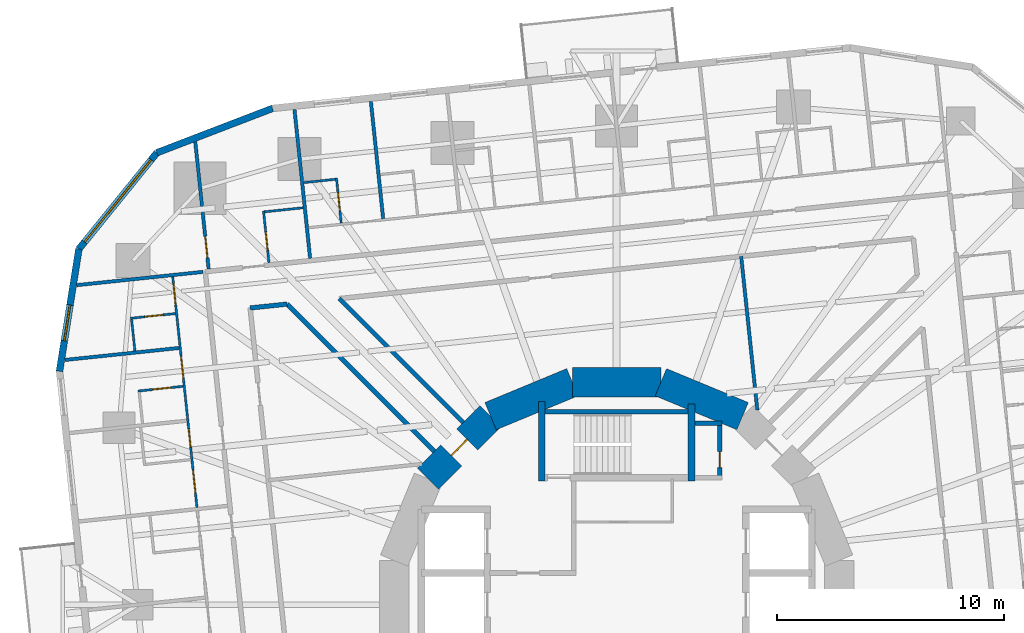
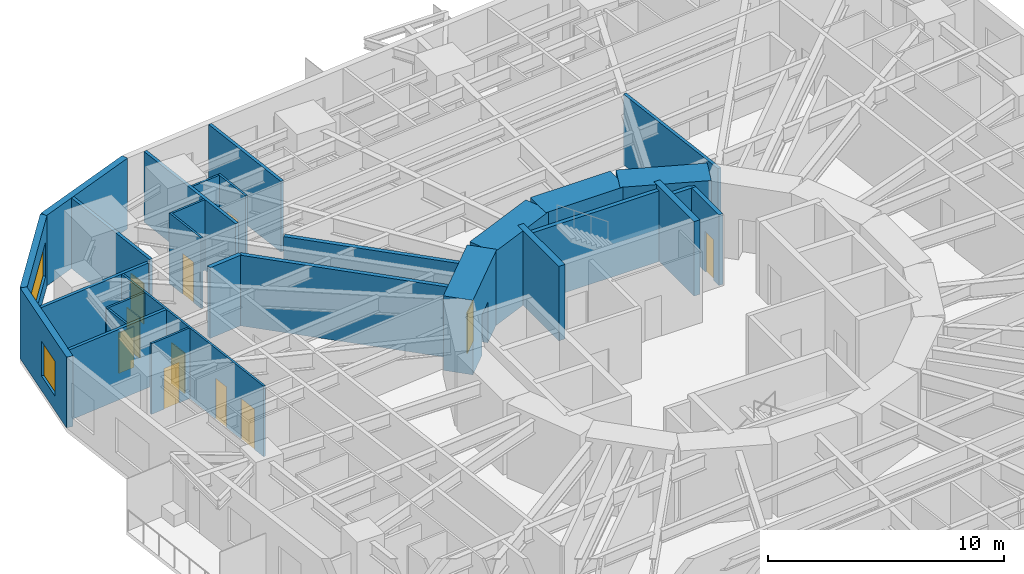
# One storey, part 10 of 15: 29 walls, 11 doors, 2 windows, 13 openings.
"""IFC4 building model written with IfcOpenShell, lengths in metres."""

from ifc_helpers import new_model, si_unit, direction, frame, frame_2d, origin, place, context, subcontext, project, spatial, rectangle, extrude, material, layer, layer_set, type_object, element, fill, save


model = new_model("IFC4")

# Units and contexts
model_context = context("Model", 3, precision=1e-05, world=origin(), true_north=direction((0.0, 1.0)))
body_context = subcontext(model_context, "Body", "Model", "MODEL_VIEW")
ifc_project = project(units=[si_unit("LENGTHUNIT", "METRE"), si_unit("AREAUNIT", "SQUARE_METRE"), si_unit("VOLUMEUNIT", "CUBIC_METRE"), si_unit("PLANEANGLEUNIT", "RADIAN"), si_unit("MASSUNIT", "GRAM", prefix="KILO")], contexts=[model_context])

# Site, building, storey
site_placement = place(None, origin())
site = spatial("IfcSite", under=ifc_project, at=site_placement, CompositionType="ELEMENT")
building_placement = place(site_placement, origin())
building = spatial("IfcBuilding", under=site, at=building_placement, Name="Nakasero Lantern House", CompositionType="ELEMENT")
storey_placement = place(building_placement, frame((0.0, 0.0, 68.199951171875)))
storey = spatial("IfcBuildingStorey", under=building, at=storey_placement, Name="L16", CompositionType="ELEMENT", Elevation=68.199951171875)

# Wall, openings, doors
ifc_material_1 = material(Name="Blockwork", Category="masonry")
ifc_layer_1 = layer(ifc_material_1, 0.10009765625)
ifc_layer_set_1 = layer_set([ifc_layer_1], Name="Cluster hall wall 100")
wall_type_1 = type_object("IfcWallType", Name="Cluster hall wall 100", PredefinedType="PARTITIONING", material=ifc_layer_set_1)
wall_1_placement = place(storey_placement, frame((-19.568603515625, 14.458740234375, 0.0), z_axis=(0.0, 0.0, 1.0), x_axis=(0.104541804513, -0.994520493056, 0.0)))
wall_1 = element("IfcWall", 1, at=wall_1_placement, inside=storey, type_object=wall_type_1, Name="Cluster hall wall L16 HW2-0", PredefinedType="PARTITIONING", context=body_context, shape_type="SweptSolid", body=[
    extrude(rectangle(XDim=10.2216796875, YDim=0.10009765625, at=frame_2d((5.11083984375, 0.0))), origin(), (0.0, 0.0, 1.0), 3.650146484375),
])
opening_1_placement = place(wall_1_placement, frame((8.57568359375, 0.0, 0.0)))
opening_1 = element("IfcOpeningElement", 2, at=opening_1_placement, cuts=wall_1, Name="Opening D03", PredefinedType="OPENING", context=body_context, shape_type="SweptSolid", body=[
    extrude(rectangle(XDim=1.0, YDim=2.10009765625, at=frame_2d((0.5, 1.050048828125))), frame((0.0, 0.070068359375, 0.0), z_axis=(0.0, -1.0, 0.0), x_axis=(1.0, 0.0, 0.0)), (0.0, 0.0, 1.0), 0.14013671875),
])
opening_2_placement = place(wall_1_placement, frame((6.75048828125, 0.0, 0.0)))
opening_2 = element("IfcOpeningElement", 3, at=opening_2_placement, cuts=wall_1, Name="Opening D02", PredefinedType="OPENING", context=body_context, shape_type="SweptSolid", body=[
    extrude(rectangle(XDim=0.800048828125, YDim=2.10009765625, at=frame_2d((0.39990234375, 1.050048828125))), frame((0.0, 0.070068359375, 0.0), z_axis=(0.0, -1.0, 0.0), x_axis=(1.0, 0.0, 0.0)), (0.0, 0.0, 1.0), 0.14013671875),
])
opening_3_placement = place(wall_1_placement, frame((0.300048828125, 0.0, 0.0)))
opening_3 = element("IfcOpeningElement", 4, at=opening_3_placement, cuts=wall_1, Name="Opening D01", PredefinedType="OPENING", context=body_context, shape_type="SweptSolid", body=[
    extrude(rectangle(XDim=0.949951171875, YDim=2.10009765625, at=frame_2d((0.47509765625, 1.050048828125))), frame((0.0, 0.070068359375, 0.0), z_axis=(0.0, -1.0, 0.0), x_axis=(1.0, 0.0, 0.0)), (0.0, 0.0, 1.0), 0.14013671875),
])
opening_4_placement = place(wall_1_placement, frame((3.525390625, 0.0, 0.0)))
opening_4 = element("IfcOpeningElement", 5, at=opening_4_placement, cuts=wall_1, Name="Opening D01", PredefinedType="OPENING", context=body_context, shape_type="SweptSolid", body=[
    extrude(rectangle(XDim=0.949951171875, YDim=2.10009765625, at=frame_2d((0.47509765625, 1.050048828125))), frame((0.0, 0.070068359375, 0.0), z_axis=(0.0, -1.0, 0.0), x_axis=(1.0, 0.0, 0.0)), (0.0, 0.0, 1.0), 0.14013671875),
])
ifc_material_2 = material(Name="Timber C24", Category="wood")
door_type_1 = type_object("IfcDoorType", Name="Bedroom door FD30S 950", OperationType="SINGLE_SWING_LEFT", PredefinedType="DOOR", material=ifc_material_2)
door_1_placement = place(opening_3_placement, origin())
door_1 = element("IfcDoor", 6, at=door_1_placement, inside=storey, type_object=door_type_1, Name="Door L16 D2-00", OperationType="SINGLE_SWING_LEFT", OverallHeight=2.10009765625, OverallWidth=0.949951171875, PredefinedType="DOOR", context=body_context, shape_type="SweptSolid", body=[
    extrude(rectangle(XDim=0.949951171875, YDim=2.10009765625, at=frame_2d((0.47509765625, 1.050048828125))), frame((0.0, 0.02490234375, 0.0), z_axis=(0.0, -1.0, 0.0), x_axis=(1.0, 0.0, 0.0)), (0.0, 0.0, 1.0), 0.050048828125),
])
fill(opening_3, door_1)
door_2_placement = place(opening_4_placement, origin())
door_2 = element("IfcDoor", 7, at=door_2_placement, inside=storey, type_object=door_type_1, Name="Door L16 D2-01", OperationType="SINGLE_SWING_LEFT", OverallHeight=2.10009765625, OverallWidth=0.949951171875, PredefinedType="DOOR", context=body_context, shape_type="SweptSolid", body=[
    extrude(rectangle(XDim=0.949951171875, YDim=2.10009765625, at=frame_2d((0.47509765625, 1.050048828125))), frame((0.0, 0.02490234375, 0.0), z_axis=(0.0, -1.0, 0.0), x_axis=(1.0, 0.0, 0.0)), (0.0, 0.0, 1.0), 0.050048828125),
])
fill(opening_4, door_2)
ifc_material_3 = material(Name="Timber C24", Category="wood")
door_type_2 = type_object("IfcDoorType", Name="En-suite door 800", OperationType="SINGLE_SWING_RIGHT", PredefinedType="DOOR", material=ifc_material_3)
door_3_placement = place(opening_2_placement, origin())
door_3 = element("IfcDoor", 8, at=door_3_placement, inside=storey, type_object=door_type_2, Name="Door L16 DSH2-0", OperationType="SINGLE_SWING_RIGHT", OverallHeight=2.10009765625, OverallWidth=0.800048828125, PredefinedType="DOOR", context=body_context, shape_type="SweptSolid", body=[
    extrude(rectangle(XDim=0.800048828125, YDim=2.10009765625, at=frame_2d((0.39990234375, 1.050048828125))), frame((0.0, 0.02490234375, 0.0), z_axis=(0.0, -1.0, 0.0), x_axis=(1.0, 0.0, 0.0)), (0.0, 0.0, 1.0), 0.050048828125),
])
fill(opening_2, door_3)
ifc_material_4 = material(Name="Timber C24", Category="wood")
door_type_3 = type_object("IfcDoorType", Name="Lounge door FD30S 1000", OperationType="SINGLE_SWING_LEFT", PredefinedType="DOOR", material=ifc_material_4)
door_4_placement = place(opening_1_placement, origin())
door_4 = element("IfcDoor", 9, at=door_4_placement, inside=storey, type_object=door_type_3, Name="Door L16 DH2-0", OperationType="SINGLE_SWING_RIGHT", OverallHeight=2.10009765625, OverallWidth=1.0, PredefinedType="DOOR", context=body_context, shape_type="SweptSolid", body=[
    extrude(rectangle(XDim=1.0, YDim=2.10009765625, at=frame_2d((0.5, 1.050048828125))), frame((0.0, 0.02490234375, 0.0), z_axis=(0.0, -1.0, 0.0), x_axis=(1.0, 0.0, 0.0)), (0.0, 0.0, 1.0), 0.050048828125),
])
fill(opening_1, door_4)

# Walls
ifc_material_5 = material(Name="Concrete C50/60", Category="concrete")
ifc_layer_2 = layer(ifc_material_5, 0.300048828125)
ifc_layer_set_2 = layer_set([ifc_layer_2], Name="Core inner wall 300")
wall_type_2 = type_object("IfcWallType", Name="Core inner wall 300", PredefinedType="SHEAR", material=ifc_layer_set_2)
wall_2_placement = place(storey_placement, frame((-3.300048828125, 5.449951171875, 0.0), z_axis=(0.0, 0.0, 1.0), x_axis=(0.0, 1.0, 0.0)))
element("IfcWall", 10, at=wall_2_placement, inside=storey, type_object=wall_type_2, Name="Core inner wall L16 SNW", PredefinedType="SHEAR", context=body_context, shape_type="SweptSolid", body=[
    extrude(rectangle(XDim=3.5, YDim=0.300048828125, at=frame_2d((1.75, 0.0))), origin(), (0.0, 0.0, 1.0), 3.85009765625),
])
wall_3_placement = place(storey_placement, frame((3.300048828125, 5.449951171875, 0.0), z_axis=(0.0, 0.0, 1.0), x_axis=(0.0, 1.0, 0.0)))
element("IfcWall", 11, at=wall_3_placement, inside=storey, type_object=wall_type_2, Name="Core inner wall L16 SNE", PredefinedType="SHEAR", context=body_context, shape_type="SweptSolid", body=[
    extrude(rectangle(XDim=3.400146484375, YDim=0.300048828125, at=frame_2d((1.7001953125, 0.0))), origin(), (0.0, 0.0, 1.0), 3.85009765625),
])
ifc_material_6 = material(Name="Concrete C50/60", Category="concrete")
ifc_layer_3 = layer(ifc_material_6, 1.300048828125)
ifc_layer_set_3 = layer_set([ifc_layer_3], Name="Core wall 1300")
wall_type_3 = type_object("IfcWallType", Name="Core wall 1300", PredefinedType="SHEAR", material=ifc_layer_set_3)
for number, where, z_axis, x_axis, name in (
    (12, (5.5556640625, 8.314697265625, 0.0), (0.0, 0.0, 1.0), (-0.923876507187, 0.382690736062, 0.0), "Core wall L16 facet 3"),
    (13, (1.950927734375, 9.807861328125, 0.0), (0.0, 0.0, 1.0), (-1.0, 0.0, 0.0), "Core wall L16 facet 4"),
    (14, (-1.950927734375, 9.807861328125, 0.0), (0.0, 0.0, 1.0), (-0.923876507187, -0.382690736062, 0.0), "Core wall L16 facet 5"),
):
    element("IfcWall", number, at=place(storey_placement, frame(where, z_axis=z_axis, x_axis=x_axis)), inside=storey, type_object=wall_type_3, Name=name, PredefinedType="SHEAR", context=body_context, shape_type="SweptSolid", body=[
        extrude(rectangle(XDim=3.90185546875, YDim=1.300048828125, at=frame_2d((1.950927734375, 0.0))), origin(), (0.0, 0.0, 1.0), 3.85009765625),
    ])

# Wall, opening, door
wall_4_placement = place(storey_placement, frame((-5.5556640625, 8.314697265625, 0.0), z_axis=(0.0, 0.0, 1.0), x_axis=(-0.707106781187, -0.707106781187, 0.0)))
wall_4 = element("IfcWall", 15, at=wall_4_placement, inside=storey, type_object=wall_type_3, Name="Core wall L16 facet 6", PredefinedType="SHEAR", context=body_context, shape_type="SweptSolid", body=[
    extrude(rectangle(XDim=3.90185546875, YDim=1.300048828125, at=frame_2d((1.950927734375, 0.0))), origin(), (0.0, 0.0, 1.0), 3.85009765625),
])
opening_5_placement = place(wall_4_placement, frame((1.450927734375, 0.0, 0.0)))
opening_5 = element("IfcOpeningElement", 16, at=opening_5_placement, cuts=wall_4, Name="Opening D05", PredefinedType="OPENING", context=body_context, shape_type="SweptSolid", body=[
    extrude(rectangle(XDim=1.0, YDim=2.10009765625, at=frame_2d((0.5, 1.050048828125))), frame((0.0, 0.669921875, 0.0), z_axis=(0.0, -1.0, 0.0), x_axis=(1.0, 0.0, 0.0)), (0.0, 0.0, 1.0), 1.340087890625),
])
ifc_material_7 = material(Name="Timber C24", Category="wood")
door_type_4 = type_object("IfcDoorType", Name="Core door FD60S 1000", OperationType="SINGLE_SWING_LEFT", PredefinedType="DOOR", material=ifc_material_7)
door_5_placement = place(opening_5_placement, origin())
door_5 = element("IfcDoor", 17, at=door_5_placement, inside=storey, type_object=door_type_4, Name="Door L16 D-CORE06", OperationType="SINGLE_SWING_LEFT", OverallHeight=2.10009765625, OverallWidth=1.0, PredefinedType="DOOR", context=body_context, shape_type="SweptSolid", body=[
    extrude(rectangle(XDim=1.0, YDim=2.10009765625, at=frame_2d((0.5, 1.050048828125))), frame((0.0, 0.02490234375, 0.0), z_axis=(0.0, -1.0, 0.0), x_axis=(1.0, 0.0, 0.0)), (0.0, 0.0, 1.0), 0.050048828125),
])
fill(opening_5, door_5)

# Walls
ifc_material_8 = material(Name="Blockwork", Category="masonry")
ifc_layer_4 = layer(ifc_material_8, 0.199951171875)
ifc_layer_set_4 = layer_set([ifc_layer_4], Name="Corridor wall 200")
wall_type_4 = type_object("IfcWallType", Name="Corridor wall 200", PredefinedType="PARTITIONING", material=ifc_layer_set_4)
wall_5_placement = place(storey_placement, frame((-14.52685546875, 13.254150390625, 0.0), z_axis=(0.0, 0.0, 1.0), x_axis=(-0.99452748025, -0.104475313001, 0.0)))
element("IfcWall", 18, at=wall_5_placement, inside=storey, type_object=wall_type_4, Name="Corridor wall L16 IW1-1", PredefinedType="PARTITIONING", context=body_context, shape_type="SweptSolid", body=[
    extrude(rectangle(XDim=1.63818359375, YDim=0.199951171875, at=frame_2d((0.819091796875, 0.0))), origin(), (0.0, 0.0, 1.0), 3.650146484375),
])
wall_6_placement = place(storey_placement, frame((-8.03125, 6.758544921875, 0.0), z_axis=(0.0, 0.0, 1.0), x_axis=(-0.707106781187, 0.707106781187, 0.0)))
element("IfcWall", 19, at=wall_6_placement, inside=storey, type_object=wall_type_4, Name="Corridor wall L16 PS06a", PredefinedType="PARTITIONING", context=body_context, shape_type="SweptSolid", body=[
    extrude(rectangle(XDim=9.186279296875, YDim=0.199951171875, at=frame_2d((4.59326171875, 0.0))), origin(), (0.0, 0.0, 1.0), 3.650146484375),
])
wall_7_placement = place(storey_placement, frame((-6.758544921875, 8.03125, 0.0), z_axis=(0.0, 0.0, 1.0), x_axis=(-0.707090986447, 0.707122575573, 0.0)))
element("IfcWall", 20, at=wall_7_placement, inside=storey, type_object=wall_type_4, Name="Corridor wall L16 PS06b", PredefinedType="PARTITIONING", context=body_context, shape_type="SweptSolid", body=[
    extrude(rectangle(XDim=7.728515625, YDim=0.199951171875, at=frame_2d((3.8642578125, 0.0))), origin(), (0.0, 0.0, 1.0), 3.650146484375),
])

# Wall, opening, door
ifc_material_9 = material(Name="Blockwork", Category="masonry")
ifc_layer_5 = layer(ifc_material_9, 0.10009765625)
ifc_layer_set_5 = layer_set([ifc_layer_5], Name="En-suite wall 100")
wall_type_5 = type_object("IfcWallType", Name="En-suite wall 100", PredefinedType="PARTITIONING", material=ifc_layer_set_5)
wall_8_placement = place(storey_placement, frame((-12.14111328125, 16.822998046875, 0.0), z_axis=(0.0, 0.0, 1.0), x_axis=(-0.104494148666, 0.99452550138, 0.0)))
wall_8 = element("IfcWall", 21, at=wall_8_placement, inside=storey, type_object=wall_type_5, Name="En-suite wall L16 ES1-07", PredefinedType="PARTITIONING", context=body_context, shape_type="SweptSolid", body=[
    extrude(rectangle(XDim=2.0, YDim=0.10009765625, at=frame_2d((1.0, 0.0))), origin(), (0.0, 0.0, 1.0), 3.650146484375),
])
opening_6_placement = place(wall_8_placement, frame((0.550048828125, 0.0, 0.0)))
opening_6 = element("IfcOpeningElement", 22, at=opening_6_placement, cuts=wall_8, Name="Opening D02", PredefinedType="OPENING", context=body_context, shape_type="SweptSolid", body=[
    extrude(rectangle(XDim=0.800048828125, YDim=2.10009765625, at=frame_2d((0.39990234375, 1.050048828125))), frame((0.0, 0.070068359375, 0.0), z_axis=(0.0, -1.0, 0.0), x_axis=(1.0, 0.0, 0.0)), (0.0, 0.0, 1.0), 0.14013671875),
])
door_6_placement = place(opening_6_placement, origin())
door_6 = element("IfcDoor", 23, at=door_6_placement, inside=storey, type_object=door_type_2, Name="Door L16 DE1-07", OperationType="SINGLE_SWING_LEFT", OverallHeight=2.10009765625, OverallWidth=0.800048828125, PredefinedType="DOOR", context=body_context, shape_type="SweptSolid", body=[
    extrude(rectangle(XDim=0.800048828125, YDim=2.10009765625, at=frame_2d((0.39990234375, 1.050048828125))), frame((0.0, 0.02490234375, 0.0), z_axis=(0.0, -1.0, 0.0), x_axis=(1.0, 0.0, 0.0)), (0.0, 0.0, 1.0), 0.050048828125),
])
fill(opening_6, door_6)

# Wall
wall_9_placement = place(storey_placement, frame((-12.394775390625, 18.757080078125, 0.0), z_axis=(0.0, 0.0, 1.0), x_axis=(-0.994529315664, -0.104457839748, 0.0)))
element("IfcWall", 24, at=wall_9_placement, inside=storey, type_object=wall_type_5, Name="En-suite wall L16 EE1-07", PredefinedType="PARTITIONING", context=body_context, shape_type="SweptSolid", body=[
    extrude(rectangle(XDim=1.39990234375, YDim=0.10009765625, at=frame_2d((0.699951171875, 0.0))), origin(), (0.0, 0.0, 1.0), 3.650146484375),
])

# Wall, opening, door
wall_10_placement = place(storey_placement, frame((-15.326416015625, 15.08056640625, 0.0), z_axis=(0.0, 0.0, 1.0), x_axis=(-0.104557694553, 0.994518822602, 0.0)))
wall_10 = element("IfcWall", 25, at=wall_10_placement, inside=storey, type_object=wall_type_5, Name="En-suite wall L16 ES1-08", PredefinedType="PARTITIONING", context=body_context, shape_type="SweptSolid", body=[
    extrude(rectangle(XDim=2.300048828125, YDim=0.10009765625, at=frame_2d((1.14990234375, 0.0))), origin(), (0.0, 0.0, 1.0), 3.650146484375),
])
opening_7_placement = place(wall_10_placement, frame((0.550048828125, 0.0, 0.0)))
opening_7 = element("IfcOpeningElement", 26, at=opening_7_placement, cuts=wall_10, Name="Opening D02", PredefinedType="OPENING", context=body_context, shape_type="SweptSolid", body=[
    extrude(rectangle(XDim=0.800048828125, YDim=2.10009765625, at=frame_2d((0.39990234375, 1.050048828125))), frame((0.0, 0.070068359375, 0.0), z_axis=(0.0, -1.0, 0.0), x_axis=(1.0, 0.0, 0.0)), (0.0, 0.0, 1.0), 0.14013671875),
])
door_7_placement = place(opening_7_placement, origin())
door_7 = element("IfcDoor", 27, at=door_7_placement, inside=storey, type_object=door_type_2, Name="Door L16 DE1-08", OperationType="SINGLE_SWING_LEFT", OverallHeight=2.10009765625, OverallWidth=0.800048828125, PredefinedType="DOOR", context=body_context, shape_type="SweptSolid", body=[
    extrude(rectangle(XDim=0.800048828125, YDim=2.10009765625, at=frame_2d((0.39990234375, 1.050048828125))), frame((0.0, 0.02490234375, 0.0), z_axis=(0.0, -1.0, 0.0), x_axis=(1.0, 0.0, 0.0)), (0.0, 0.0, 1.0), 0.050048828125),
])
fill(opening_7, door_7)

# Wall
wall_11_placement = place(storey_placement, frame((-13.8212890625, 17.501220703125, 0.0), z_axis=(0.0, 0.0, 1.0), x_axis=(-0.994519608382, -0.104550220202, 0.0)))
element("IfcWall", 28, at=wall_11_placement, inside=storey, type_object=wall_type_5, Name="En-suite wall L16 EE1-08", PredefinedType="PARTITIONING", context=body_context, shape_type="SweptSolid", body=[
    extrude(rectangle(XDim=1.699951171875, YDim=0.10009765625, at=frame_2d((0.85009765625, 0.0))), origin(), (0.0, 0.0, 1.0), 3.650146484375),
])

# Wall, opening, door
wall_12_placement = place(storey_placement, frame((-19.448486328125, 12.837158203125, 0.0), z_axis=(0.0, 0.0, 1.0), x_axis=(-0.99452550138, -0.104494148666, 0.0)))
wall_12 = element("IfcWall", 29, at=wall_12_placement, inside=storey, type_object=wall_type_5, Name="En-suite wall L16 ES2-00", PredefinedType="PARTITIONING", context=body_context, shape_type="SweptSolid", body=[
    extrude(rectangle(XDim=2.0, YDim=0.10009765625, at=frame_2d((1.0, 0.0))), origin(), (0.0, 0.0, 1.0), 3.650146484375),
])
opening_8_placement = place(wall_12_placement, frame((0.550048828125, 0.0, 0.0)))
opening_8 = element("IfcOpeningElement", 30, at=opening_8_placement, cuts=wall_12, Name="Opening D02", PredefinedType="OPENING", context=body_context, shape_type="SweptSolid", body=[
    extrude(rectangle(XDim=0.800048828125, YDim=2.10009765625, at=frame_2d((0.39990234375, 1.050048828125))), frame((0.0, 0.070068359375, 0.0), z_axis=(0.0, -1.0, 0.0), x_axis=(1.0, 0.0, 0.0)), (0.0, 0.0, 1.0), 0.14013671875),
])
door_8_placement = place(opening_8_placement, origin())
door_8 = element("IfcDoor", 31, at=door_8_placement, inside=storey, type_object=door_type_2, Name="Door L16 DE2-00", OperationType="SINGLE_SWING_LEFT", OverallHeight=2.10009765625, OverallWidth=0.800048828125, PredefinedType="DOOR", context=body_context, shape_type="SweptSolid", body=[
    extrude(rectangle(XDim=0.800048828125, YDim=2.10009765625, at=frame_2d((0.39990234375, 1.050048828125))), frame((0.0, 0.02490234375, 0.0), z_axis=(0.0, -1.0, 0.0), x_axis=(1.0, 0.0, 0.0)), (0.0, 0.0, 1.0), 0.050048828125),
])
fill(opening_8, door_8)

# Wall
wall_13_placement = place(storey_placement, frame((-21.382568359375, 12.58349609375, 0.0), z_axis=(0.0, 0.0, 1.0), x_axis=(0.104630319263, -0.994511184598, 0.0)))
element("IfcWall", 32, at=wall_13_placement, inside=storey, type_object=wall_type_5, Name="En-suite wall L16 EE2-00", PredefinedType="PARTITIONING", context=body_context, shape_type="SweptSolid", body=[
    extrude(rectangle(XDim=1.39990234375, YDim=0.10009765625, at=frame_2d((0.699951171875, 0.0))), origin(), (0.0, 0.0, 1.0), 3.650146484375),
])

# Wall, opening, door
wall_14_placement = place(storey_placement, frame((-19.111328125, 9.62939453125, 0.0), z_axis=(0.0, 0.0, 1.0), x_axis=(-0.99452550138, -0.104494148666, 0.0)))
wall_14 = element("IfcWall", 33, at=wall_14_placement, inside=storey, type_object=wall_type_5, Name="En-suite wall L16 ES2-01", PredefinedType="PARTITIONING", context=body_context, shape_type="SweptSolid", body=[
    extrude(rectangle(XDim=2.0, YDim=0.10009765625, at=frame_2d((1.0, 0.0))), origin(), (0.0, 0.0, 1.0), 3.650146484375),
])
opening_9_placement = place(wall_14_placement, frame((0.550048828125, 0.0, 0.0)))
opening_9 = element("IfcOpeningElement", 34, at=opening_9_placement, cuts=wall_14, Name="Opening D02", PredefinedType="OPENING", context=body_context, shape_type="SweptSolid", body=[
    extrude(rectangle(XDim=0.800048828125, YDim=2.10009765625, at=frame_2d((0.39990234375, 1.050048828125))), frame((0.0, 0.070068359375, 0.0), z_axis=(0.0, -1.0, 0.0), x_axis=(1.0, 0.0, 0.0)), (0.0, 0.0, 1.0), 0.14013671875),
])
door_9_placement = place(opening_9_placement, origin())
door_9 = element("IfcDoor", 35, at=door_9_placement, inside=storey, type_object=door_type_2, Name="Door L16 DE2-01", OperationType="SINGLE_SWING_LEFT", OverallHeight=2.10009765625, OverallWidth=0.800048828125, PredefinedType="DOOR", context=body_context, shape_type="SweptSolid", body=[
    extrude(rectangle(XDim=0.800048828125, YDim=2.10009765625, at=frame_2d((0.39990234375, 1.050048828125))), frame((0.0, 0.02490234375, 0.0), z_axis=(0.0, -1.0, 0.0), x_axis=(1.0, 0.0, 0.0)), (0.0, 0.0, 1.0), 0.050048828125),
])
fill(opening_9, door_9)

# Wall
ifc_material_10 = material(Name="Aluminium rainscreen on blockwork", Category="masonry")
ifc_layer_6 = layer(ifc_material_10, 0.300048828125)
ifc_layer_set_6 = layer_set([ifc_layer_6], Name="Facade wall 300")
wall_type_6 = type_object("IfcWallType", Name="Facade wall 300", PredefinedType="SOLIDWALL", material=ifc_layer_set_6)
wall_15_placement = place(storey_placement, frame((-15.170654296875, 21.884033203125, 0.0), z_axis=(0.0, 0.0, 1.0), x_axis=(-0.933583906079, -0.358358884793, 0.0)))
element("IfcWall", 36, at=wall_15_placement, inside=storey, type_object=wall_type_6, Name="Facade wall L16 FW1C1", PredefinedType="SOLIDWALL", context=body_context, shape_type="SweptSolid", body=[
    extrude(rectangle(XDim=5.461181640625, YDim=0.300048828125, at=frame_2d((2.73046875, 0.0))), origin(), (0.0, 0.0, 1.0), 3.650146484375),
])

# Wall, opening, window
wall_16_placement = place(storey_placement, frame((-20.26904296875, 19.927001953125, 0.0), z_axis=(0.0, 0.0, 1.0), x_axis=(-0.629334543442, -0.777134500863, 0.0)))
wall_16 = element("IfcWall", 37, at=wall_16_placement, inside=storey, type_object=wall_type_6, Name="Facade wall L16 FW1C2", PredefinedType="SOLIDWALL", context=body_context, shape_type="SweptSolid", body=[
    extrude(rectangle(XDim=5.4609375, YDim=0.300048828125, at=frame_2d((2.73046875, 0.0))), origin(), (0.0, 0.0, 1.0), 3.650146484375),
])
opening_10_placement = place(wall_16_placement, frame((0.39990234375, 0.0, 0.75)))
opening_10 = element("IfcOpeningElement", 38, at=opening_10_placement, cuts=wall_16, Name="Opening W246", PredefinedType="OPENING", context=body_context, shape_type="SweptSolid", body=[
    extrude(rectangle(XDim=4.660888671875, YDim=1.800048828125, at=frame_2d((2.33056640625, 0.89990234375))), frame((0.0, 0.169921875, 0.0), z_axis=(0.0, -1.0, 0.0), x_axis=(1.0, 0.0, 0.0)), (0.0, 0.0, 1.0), 0.340087890625),
])
ifc_material_11 = material(Name="Aluminium 6063-T6 and glass", Category="aluminium")
window_type_1 = type_object("IfcWindowType", Name="Corner window 4661x1800", PartitioningType="SINGLE_PANEL", PredefinedType="WINDOW", material=ifc_material_11)
window_1_placement = place(opening_10_placement, origin())
window_1 = element("IfcWindow", 39, at=window_1_placement, inside=storey, type_object=window_type_1, Name="Window L16 WC1", OverallHeight=1.800048828125, OverallWidth=4.660888671875, PartitioningType="SINGLE_PANEL", PredefinedType="WINDOW", context=body_context, shape_type="SweptSolid", body=[
    extrude(rectangle(XDim=4.660888671875, YDim=1.800048828125, at=frame_2d((2.33056640625, 0.89990234375))), frame((0.0, 0.030029296875, 0.0), z_axis=(0.0, -1.0, 0.0), x_axis=(1.0, 0.0, 0.0)), (0.0, 0.0, 1.0), 0.06005859375),
])
fill(opening_10, window_1)

wall_17_placement = place(storey_placement, frame((-23.705810546875, 15.68310546875, 0.0), z_axis=(0.0, 0.0, 1.0), x_axis=(-0.156419383601, -0.987690729142, 0.0)))
wall_17 = element("IfcWall", 40, at=wall_17_placement, inside=storey, type_object=wall_type_6, Name="Facade wall L16 FW1C3", PredefinedType="SOLIDWALL", context=body_context, shape_type="SweptSolid", body=[
    extrude(rectangle(XDim=5.461181640625, YDim=0.300048828125, at=frame_2d((2.73046875, 0.0))), origin(), (0.0, 0.0, 1.0), 3.650146484375),
])
opening_11_placement = place(wall_17_placement, frame((2.5, 0.0, 0.75)))
opening_11 = element("IfcOpeningElement", 41, at=opening_11_placement, cuts=wall_17, Name="Opening W01", PredefinedType="OPENING", context=body_context, shape_type="SweptSolid", body=[
    extrude(rectangle(XDim=1.60009765625, YDim=1.800048828125, at=frame_2d((0.800048828125, 0.89990234375))), frame((0.0, 0.169921875, 0.0), z_axis=(0.0, -1.0, 0.0), x_axis=(1.0, 0.0, 0.0)), (0.0, 0.0, 1.0), 0.340087890625),
])
ifc_material_12 = material(Name="Aluminium 6063-T6 and glass", Category="aluminium")
window_type_2 = type_object("IfcWindowType", Name="Bedroom window 1600x1800", PartitioningType="SINGLE_PANEL", PredefinedType="WINDOW", material=ifc_material_12)
window_2_placement = place(opening_11_placement, origin())
window_2 = element("IfcWindow", 42, at=window_2_placement, inside=storey, type_object=window_type_2, Name="Window L16 WN2-00", OverallHeight=1.800048828125, OverallWidth=1.60009765625, PartitioningType="SINGLE_PANEL", PredefinedType="WINDOW", context=body_context, shape_type="SweptSolid", body=[
    extrude(rectangle(XDim=1.60009765625, YDim=1.800048828125, at=frame_2d((0.800048828125, 0.89990234375))), frame((0.0, 0.030029296875, 0.0), z_axis=(0.0, -1.0, 0.0), x_axis=(1.0, 0.0, 0.0)), (0.0, 0.0, 1.0), 0.06005859375),
])
fill(opening_11, window_2)

# Wall, opening, door
ifc_material_13 = material(Name="Blockwork", Category="masonry")
ifc_layer_7 = layer(ifc_material_13, 0.199951171875)
ifc_layer_set_7 = layer_set([ifc_layer_7], Name="Fire lobby wall 200")
wall_type_7 = type_object("IfcWallType", Name="Fire lobby wall 200", PredefinedType="PARTITIONING", material=ifc_layer_set_7)
wall_18_placement = place(storey_placement, frame((4.550048828125, 5.60009765625, 0.0), z_axis=(0.0, 0.0, 1.0), x_axis=(0.0, 1.0, 0.0)))
wall_18 = element("IfcWall", 43, at=wall_18_placement, inside=storey, type_object=wall_type_7, Name="Fire lobby wall L16 W-RS1E", PredefinedType="PARTITIONING", context=body_context, shape_type="SweptSolid", body=[
    extrude(rectangle(XDim=2.39990234375, YDim=0.199951171875, at=frame_2d((1.199951171875, 0.0))), origin(), (0.0, 0.0, 1.0), 3.650146484375),
])
opening_12_placement = place(wall_18_placement, frame((0.449951171875, 0.0, 0.0)))
opening_12 = element("IfcOpeningElement", 44, at=opening_12_placement, cuts=wall_18, Name="Opening D06", PredefinedType="OPENING", context=body_context, shape_type="SweptSolid", body=[
    extrude(rectangle(XDim=0.699951171875, YDim=2.10009765625, at=frame_2d((0.35009765625, 1.050048828125))), frame((0.0, 0.119873046875, 0.0), z_axis=(0.0, -1.0, 0.0), x_axis=(1.0, 0.0, 0.0)), (0.0, 0.0, 1.0), 0.239990234375),
])
ifc_material_14 = material(Name="Steel S355", Category="steel")
door_type_5 = type_object("IfcDoorType", Name="Riser door FD60 700", OperationType="SINGLE_SWING_LEFT", PredefinedType="DOOR", material=ifc_material_14)
door_10_placement = place(opening_12_placement, origin())
door_10 = element("IfcDoor", 45, at=door_10_placement, inside=storey, type_object=door_type_5, Name="Door L16 D-RS1", OperationType="SINGLE_SWING_LEFT", OverallHeight=2.10009765625, OverallWidth=0.699951171875, PredefinedType="DOOR", context=body_context, shape_type="SweptSolid", body=[
    extrude(rectangle(XDim=0.699951171875, YDim=2.10009765625, at=frame_2d((0.35009765625, 1.050048828125))), frame((0.0, 0.02490234375, 0.0), z_axis=(0.0, -1.0, 0.0), x_axis=(1.0, 0.0, 0.0)), (0.0, 0.0, 1.0), 0.050048828125),
])
fill(opening_12, door_10)

# Walls
wall_19_placement = place(storey_placement, frame((3.449951171875, 8.0, 0.0), z_axis=(0.0, 0.0, 1.0), x_axis=(1.0, 0.0, 0.0)))
element("IfcWall", 46, at=wall_19_placement, inside=storey, type_object=wall_type_7, Name="Fire lobby wall L16 W-RS1N", PredefinedType="PARTITIONING", context=body_context, shape_type="SweptSolid", body=[
    extrude(rectangle(XDim=1.199951171875, YDim=0.199951171875, at=frame_2d((0.60009765625, 0.0))), origin(), (0.0, 0.0, 1.0), 3.650146484375),
])
wall_20_placement = place(storey_placement, frame((-3.300048828125, 8.5, 0.0), z_axis=(0.0, 0.0, 1.0), x_axis=(1.0, 0.0, 0.0)))
element("IfcWall", 47, at=wall_20_placement, inside=storey, type_object=wall_type_7, Name="Fire lobby wall L16 W-STN", PredefinedType="PARTITIONING", context=body_context, shape_type="SweptSolid", body=[
    extrude(rectangle(XDim=6.60009765625, YDim=0.199951171875, at=frame_2d((3.300048828125, 0.0))), origin(), (0.0, 0.0, 1.0), 3.650146484375),
])
ifc_material_15 = material(Name="Blockwork", Category="masonry")
ifc_layer_8 = layer(ifc_material_15, 0.14990234375)
ifc_layer_set_8 = layer_set([ifc_layer_8], Name="Party wall 150")
wall_type_8 = type_object("IfcWallType", Name="Party wall 150", PredefinedType="PARTITIONING", material=ifc_layer_set_8)
wall_21_placement = place(storey_placement, frame((-10.290771484375, 17.017578125, 0.0), z_axis=(0.0, 0.0, 1.0), x_axis=(-0.104513699976, 0.994523446942, 0.0)))
element("IfcWall", 48, at=wall_21_placement, inside=storey, type_object=wall_type_8, Name="Party wall L16 PW1-07", PredefinedType="PARTITIONING", context=body_context, shape_type="SweptSolid", body=[
    extrude(rectangle(XDim=5.199951171875, YDim=0.14990234375, at=frame_2d((2.60009765625, 0.0))), origin(), (0.0, 0.0, 1.0), 3.650146484375),
])
wall_22_placement = place(storey_placement, frame((-13.511474609375, 15.271240234375, 0.0), z_axis=(0.0, 0.0, 1.0), x_axis=(-0.104534592565, 0.994521251134, 0.0)))
element("IfcWall", 49, at=wall_22_placement, inside=storey, type_object=wall_type_8, Name="Party wall L16 PW1-08", PredefinedType="PARTITIONING", context=body_context, shape_type="SweptSolid", body=[
    extrude(rectangle(XDim=6.60009765625, YDim=0.14990234375, at=frame_2d((3.300048828125, 0.0))), origin(), (0.0, 0.0, 1.0), 3.650146484375),
])

# Wall, opening, door
wall_23_placement = place(storey_placement, frame((-17.9853515625, 14.801025390625, 0.0), z_axis=(0.0, 0.0, 1.0), x_axis=(-0.104520320471, 0.994522751177, 0.0)))
wall_23 = element("IfcWall", 50, at=wall_23_placement, inside=storey, type_object=wall_type_8, Name="Party wall L16 PC1", PredefinedType="PARTITIONING", context=body_context, shape_type="SweptSolid", body=[
    extrude(rectangle(XDim=5.64111328125, YDim=0.14990234375, at=frame_2d((2.820556640625, 0.0))), origin(), (0.0, 0.0, 1.0), 3.650146484375),
])
opening_13_placement = place(wall_23_placement, frame((0.5, 0.0, 0.0)))
opening_13 = element("IfcOpeningElement", 51, at=opening_13_placement, cuts=wall_23, Name="Opening D01", PredefinedType="OPENING", context=body_context, shape_type="SweptSolid", body=[
    extrude(rectangle(XDim=0.949951171875, YDim=2.10009765625, at=frame_2d((0.47509765625, 1.050048828125))), frame((0.0, 0.094970703125, 0.0), z_axis=(0.0, -1.0, 0.0), x_axis=(1.0, 0.0, 0.0)), (0.0, 0.0, 1.0), 0.18994140625),
])
door_11_placement = place(opening_13_placement, origin())
door_11 = element("IfcDoor", 52, at=door_11_placement, inside=storey, type_object=door_type_1, Name="Door L16 DC1", OperationType="SINGLE_SWING_LEFT", OverallHeight=2.10009765625, OverallWidth=0.949951171875, PredefinedType="DOOR", context=body_context, shape_type="SweptSolid", body=[
    extrude(rectangle(XDim=0.949951171875, YDim=2.10009765625, at=frame_2d((0.47509765625, 1.050048828125))), frame((0.0, 0.02490234375, 0.0), z_axis=(0.0, -1.0, 0.0), x_axis=(1.0, 0.0, 0.0)), (0.0, 0.0, 1.0), 0.050048828125),
])
fill(opening_13, door_11)

# Walls
wall_24_placement = place(storey_placement, frame((-18.23388671875, 14.674560546875, 0.0), z_axis=(0.0, 0.0, 1.0), x_axis=(-0.994520498284, -0.104541754786, 0.0)))
element("IfcWall", 53, at=wall_24_placement, inside=storey, type_object=wall_type_8, Name="Party wall L16 PW2-00", PredefinedType="PARTITIONING", context=body_context, shape_type="SweptSolid", body=[
    extrude(rectangle(XDim=5.597900390625, YDim=0.14990234375, at=frame_2d((2.798828125, 0.0))), origin(), (0.0, 0.0, 1.0), 3.650146484375),
])
wall_25_placement = place(storey_placement, frame((-19.2890625, 11.320556640625, 0.0), z_axis=(0.0, 0.0, 1.0), x_axis=(-0.994518658271, -0.104559257608, 0.0)))
element("IfcWall", 54, at=wall_25_placement, inside=storey, type_object=wall_type_8, Name="Party wall L16 PW2-01", PredefinedType="PARTITIONING", context=body_context, shape_type="SweptSolid", body=[
    extrude(rectangle(XDim=5.062255859375, YDim=0.14990234375, at=frame_2d((2.53125, 0.0))), origin(), (0.0, 0.0, 1.0), 3.650146484375),
])
wall_26_placement = place(storey_placement, frame((6.20263671875, 8.5869140625, 0.0), z_axis=(0.0, 0.0, 1.0), x_axis=(-0.104526123734, 0.99452214126, 0.0)))
element("IfcWall", 55, at=wall_26_placement, inside=storey, type_object=wall_type_8, Name="Party wall L16 IS2", PredefinedType="PARTITIONING", context=body_context, shape_type="SweptSolid", body=[
    extrude(rectangle(XDim=6.80859375, YDim=0.14990234375, at=frame_2d((3.404296875, 0.0))), origin(), (0.0, 0.0, 1.0), 3.650146484375),
])

save(model, "model.ifc")
